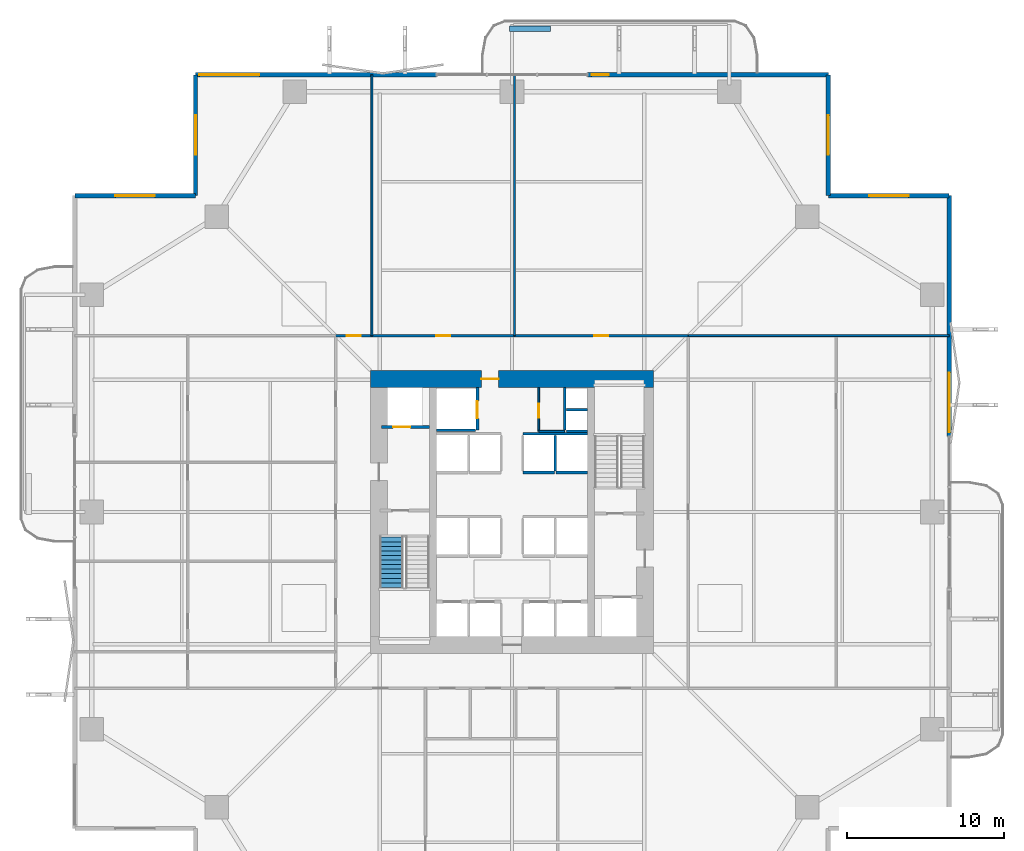
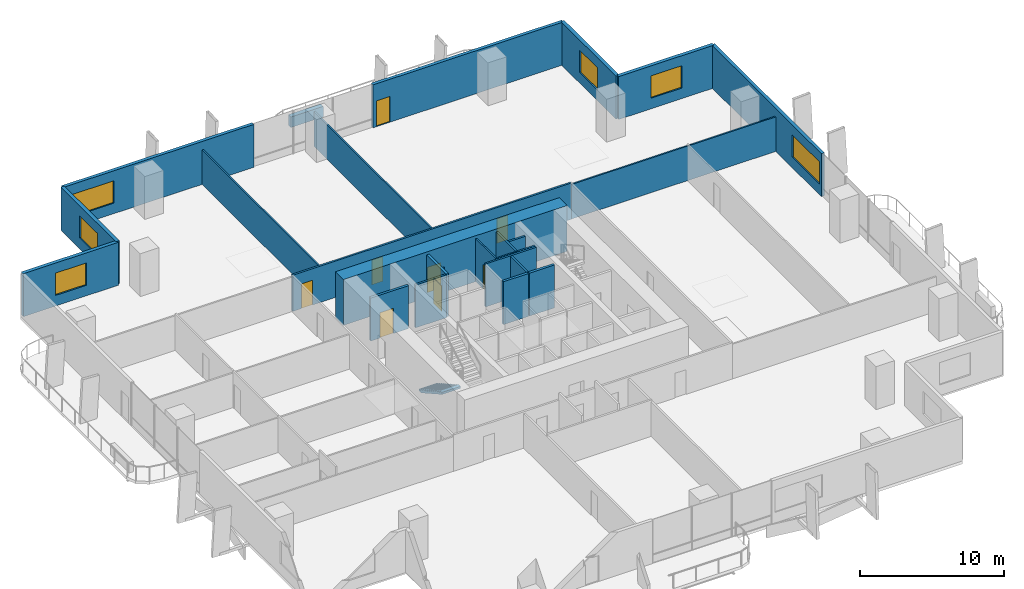
# One storey, part 19 of 23: 25 walls, 8 doors, 6 windows, 1 stair flight, 14 openings, 1 element without a shape of its own.
"""IFC4 building model written with IfcOpenShell, lengths in metres."""

from ifc_helpers import new_model, si_unit, direction, frame, frame_2d, origin, place, context, subcontext, project, spatial, polyline, rectangle, outline, extrude, material, layer, layer_set, type_object, element, fill, aggregate, save


model = new_model("IFC4")

# Units and contexts
model_context = context("Model", 3, precision=1e-05, world=origin(), true_north=direction((0.0, 1.0)))
body_context = subcontext(model_context, "Body", "Model", "MODEL_VIEW")
ifc_project = project(units=[si_unit("LENGTHUNIT", "METRE"), si_unit("AREAUNIT", "SQUARE_METRE"), si_unit("VOLUMEUNIT", "CUBIC_METRE"), si_unit("PLANEANGLEUNIT", "RADIAN"), si_unit("MASSUNIT", "GRAM", prefix="KILO")], contexts=[model_context])

# Site, building, storey
site_placement = place(None, origin())
site = spatial("IfcSite", under=ifc_project, at=site_placement, CompositionType="ELEMENT")
building_placement = place(site_placement, origin())
building = spatial("IfcBuilding", under=site, at=building_placement, Name="Belovzor Exchange Tower", CompositionType="ELEMENT")
storey_placement = place(building_placement, frame((0.0, 0.0, 53.39990234375)))
storey = spatial("IfcBuildingStorey", under=building, at=storey_placement, Name="L12", CompositionType="ELEMENT", Elevation=53.39990234375)

# Walls
ifc_material_1 = material(Name="Acoustic Plasterboard on Galvanised Studs", Category="gypsum")
ifc_layer_1 = layer(ifc_material_1, 0.1201171875)
ifc_layer_set_1 = layer_set([ifc_layer_1], Name="Acoustic Plasterboard on Galvanised Studs")
wall_type_1 = type_object("IfcWallType", Name="Acoustic Double-Stud Partition Wall 120", PredefinedType="PARTITIONING", material=ifc_layer_set_1)
for number, where, z_axis, x_axis, name in (
    (1, (19.89990234375, 40.0, 0.0), (0.0, 0.0, 1.0), (0.0, 1.0, 0.0), "W-P120 Partition Wall W-L12-NDIV-1"),
    (2, (28.9560546875, 40.0, 0.0), (0.0, 0.0, 1.0), (0.0, 1.0, 0.0), "W-P120 Partition Wall W-L12-NDIV-2"),
    (3, (40.0, 40.0, 0.0), (0.0, 0.0, 1.0), (1.0, 0.0, 0.0), "W-P120 Partition Wall W-L12-END-NE"),
):
    element("IfcWall", number, at=place(storey_placement, frame(where, z_axis=z_axis, x_axis=x_axis)), inside=storey, type_object=wall_type_1, Name=name, PredefinedType="PARTITIONING", context=body_context, shape_type="SweptSolid", body=[
        extrude(rectangle(XDim=16.570068359375, YDim=0.1201171875, at=frame_2d((8.28515625, 0.0))), origin(), (0.0, 0.0, 1.0), 2.93505859375),
    ])

# Wall, opening, door
ifc_material_2 = material(Name="Fire-Rated Plasterboard on Galvanised Studs", Category="gypsum")
ifc_layer_2 = layer(ifc_material_2, 0.1201171875)
ifc_layer_set_2 = layer_set([ifc_layer_2], Name="Fire-Rated Plasterboard on Galvanised Studs")
wall_type_2 = type_object("IfcWallType", Name="Fire-Rated Double-Stud Partition Wall 120", PredefinedType="PARTITIONING", material=ifc_layer_set_2)
wall_1_placement = place(storey_placement, frame((30.5, 33.925048828125, 0.0), z_axis=(0.0, 0.0, 1.0), x_axis=(0.0, 1.0, 0.0)))
wall_1 = element("IfcWall", 4, at=wall_1_placement, inside=storey, type_object=wall_type_2, Name="W-P120F Partition Wall W-CRV-L12-W", PredefinedType="PARTITIONING", context=body_context, shape_type="SweptSolid", body=[
    extrude(rectangle(XDim=2.77490234375, YDim=0.1201171875, at=frame_2d((1.387451171875, 0.0))), origin(), (0.0, 0.0, 1.0), 3.650146484375),
])
opening_1_placement = place(wall_1_placement, frame((0.85009765625, 0.0, 0.0)))
opening_1 = element("IfcOpeningElement", 5, at=opening_1_placement, cuts=wall_1, Name="Opening D-FD60-090", PredefinedType="OPENING", context=body_context, shape_type="SweptSolid", body=[
    extrude(rectangle(XDim=0.89990234375, YDim=2.10009765625, at=frame_2d((0.449951171875, 1.050048828125))), frame((0.0, 0.070068359375, 0.0), z_axis=(0.0, -1.0, 0.0), x_axis=(1.0, 0.0, 0.0)), (0.0, 0.0, 1.0), 0.14013671875),
])
ifc_material_3 = material(Name="Acoustic Timber Fire Leaf", Category="wood")
door_type_1 = type_object("IfcDoorType", Name="Core Service & Restroom Fire Door 900x2100", OperationType="NOTDEFINED", PredefinedType="DOOR", material=ifc_material_3)
door_1_placement = place(opening_1_placement, origin())
door_1 = element("IfcDoor", 6, at=door_1_placement, inside=storey, type_object=door_type_1, Name="D-FD60-090 Core Service & Restroom Fire Door 900x2100", OperationType="SINGLE_SWING_LEFT", OverallHeight=2.10009765625, OverallWidth=0.89990234375, PredefinedType="DOOR", context=body_context, shape_type="SweptSolid", body=[
    extrude(rectangle(XDim=0.89990234375, YDim=2.10009765625, at=frame_2d((0.449951171875, 1.050048828125))), frame((0.0, 0.02490234375, 0.0), z_axis=(0.0, -1.0, 0.0), x_axis=(1.0, 0.0, 0.0)), (0.0, 0.0, 1.0), 0.050048828125),
])
fill(opening_1, door_1)

# Wall
wall_2_placement = place(storey_placement, frame((30.5, 33.925048828125, 0.0), z_axis=(0.0, 0.0, 1.0), x_axis=(1.0, 0.0, 0.0)))
element("IfcWall", 7, at=wall_2_placement, inside=storey, type_object=wall_type_2, Name="W-P120F Partition Wall W-CRV-L12-S", PredefinedType="PARTITIONING", context=body_context, shape_type="SweptSolid", body=[
    extrude(rectangle(XDim=1.64990234375, YDim=0.1201171875, at=frame_2d((0.824951171875, 0.0))), origin(), (0.0, 0.0, 1.0), 3.650146484375),
])

# Wall, openings, doors
ifc_material_4 = material(Name="Fire-Rated Gypsum Block and Mineral Wool", Category="gypsum")
ifc_layer_3 = layer(ifc_material_4, 0.14990234375)
ifc_layer_set_3 = layer_set([ifc_layer_3], Name="Fire-Rated Gypsum Block and Mineral Wool")
wall_type_3 = type_object("IfcWallType", Name="Fire-Rated Gypsum Block Corridor Wall 150", PredefinedType="PARTITIONING", material=ifc_layer_set_3)
wall_3_placement = place(storey_placement, frame((17.60009765625, 40.0, 0.0), z_axis=(0.0, 0.0, 1.0), x_axis=(1.0, 0.0, 0.0)))
wall_3 = element("IfcWall", 8, at=wall_3_placement, inside=storey, type_object=wall_type_3, Name="W-P150 Partition Wall W-L12-CN", PredefinedType="PARTITIONING", context=body_context, shape_type="SweptSolid", body=[
    extrude(rectangle(XDim=22.39990234375, YDim=0.14990234375, at=frame_2d((11.199951171875, 0.0))), origin(), (0.0, 0.0, 1.0), 3.085205078125),
])
opening_2_placement = place(wall_3_placement, frame((0.699951171875, 0.0, 0.0)))
opening_2 = element("IfcOpeningElement", 9, at=opening_2_placement, cuts=wall_3, Name="Opening D-INT-090", PredefinedType="OPENING", context=body_context, shape_type="SweptSolid", body=[
    extrude(rectangle(XDim=0.89990234375, YDim=2.10009765625, at=frame_2d((0.449951171875, 1.050048828125))), frame((0.0, 0.0849609375, 0.0), z_axis=(0.0, -1.0, 0.0), x_axis=(1.0, 0.0, 0.0)), (0.0, 0.0, 1.0), 0.169921875),
])
opening_3_placement = place(wall_3_placement, frame((6.3779296875, 0.0, 0.0)))
opening_3 = element("IfcOpeningElement", 10, at=opening_3_placement, cuts=wall_3, Name="Opening D-INT-090", PredefinedType="OPENING", context=body_context, shape_type="SweptSolid", body=[
    extrude(rectangle(XDim=0.89990234375, YDim=2.10009765625, at=frame_2d((0.449951171875, 1.050048828125))), frame((0.0, 0.0849609375, 0.0), z_axis=(0.0, -1.0, 0.0), x_axis=(1.0, 0.0, 0.0)), (0.0, 0.0, 1.0), 0.169921875),
])
opening_4_placement = place(wall_3_placement, frame((16.427978515625, 0.0, 0.0)))
opening_4 = element("IfcOpeningElement", 11, at=opening_4_placement, cuts=wall_3, Name="Opening D-INT-090", PredefinedType="OPENING", context=body_context, shape_type="SweptSolid", body=[
    extrude(rectangle(XDim=0.89990234375, YDim=2.10009765625, at=frame_2d((0.449951171875, 1.050048828125))), frame((0.0, 0.0849609375, 0.0), z_axis=(0.0, -1.0, 0.0), x_axis=(1.0, 0.0, 0.0)), (0.0, 0.0, 1.0), 0.169921875),
])
ifc_material_5 = material(Name="Veneered Hardwood Acoustic Leaf", Category="wood")
door_type_2 = type_object("IfcDoorType", Name="Trading Suite Acoustic Single Door 900x2100", OperationType="NOTDEFINED", PredefinedType="DOOR", material=ifc_material_5)
door_2_placement = place(opening_2_placement, origin())
door_2 = element("IfcDoor", 12, at=door_2_placement, inside=storey, type_object=door_type_2, Name="D-INT-090 Trading Suite Acoustic Single Door 900x2100", OperationType="SINGLE_SWING_RIGHT", OverallHeight=2.10009765625, OverallWidth=0.89990234375, PredefinedType="DOOR", context=body_context, shape_type="SweptSolid", body=[
    extrude(rectangle(XDim=0.89990234375, YDim=2.10009765625, at=frame_2d((0.449951171875, 1.050048828125))), frame((0.0, 0.02490234375, 0.0), z_axis=(0.0, -1.0, 0.0), x_axis=(1.0, 0.0, 0.0)), (0.0, 0.0, 1.0), 0.050048828125),
])
fill(opening_2, door_2)
door_3_placement = place(opening_3_placement, origin())
door_3 = element("IfcDoor", 13, at=door_3_placement, inside=storey, type_object=door_type_2, Name="D-INT-090 Trading Suite Acoustic Single Door 900x2100", OperationType="SINGLE_SWING_LEFT", OverallHeight=2.10009765625, OverallWidth=0.89990234375, PredefinedType="DOOR", context=body_context, shape_type="SweptSolid", body=[
    extrude(rectangle(XDim=0.89990234375, YDim=2.10009765625, at=frame_2d((0.449951171875, 1.050048828125))), frame((0.0, 0.02490234375, 0.0), z_axis=(0.0, -1.0, 0.0), x_axis=(1.0, 0.0, 0.0)), (0.0, 0.0, 1.0), 0.050048828125),
])
fill(opening_3, door_3)
door_4_placement = place(opening_4_placement, origin())
door_4 = element("IfcDoor", 14, at=door_4_placement, inside=storey, type_object=door_type_2, Name="D-INT-090 Trading Suite Acoustic Single Door 900x2100", OperationType="SINGLE_SWING_RIGHT", OverallHeight=2.10009765625, OverallWidth=0.89990234375, PredefinedType="DOOR", context=body_context, shape_type="SweptSolid", body=[
    extrude(rectangle(XDim=0.89990234375, YDim=2.10009765625, at=frame_2d((0.449951171875, 1.050048828125))), frame((0.0, 0.02490234375, 0.0), z_axis=(0.0, -1.0, 0.0), x_axis=(1.0, 0.0, 0.0)), (0.0, 0.0, 1.0), 0.050048828125),
])
fill(opening_4, door_4)

# Wall, opening, window
ifc_material_6 = material(Name="Precast concrete C40/50", Category="concrete")
ifc_layer_4 = layer(ifc_material_6, 0.280029296875)
ifc_layer_set_4 = layer_set([ifc_layer_4], Name="Precast concrete C40/50")
wall_type_4 = type_object("IfcWallType", Name="Precast Concrete Notched Corner Frame Wall 280", PredefinedType="SOLIDWALL", material=ifc_layer_set_4)
wall_4_placement = place(storey_placement, frame((1.030029296875, 48.89990234375, 0.0), z_axis=(0.0, 0.0, 1.0), x_axis=(1.0, 0.0, 0.0)))
wall_4 = element("IfcWall", 15, at=wall_4_placement, inside=storey, type_object=wall_type_4, Name="W-CRN280 Precast Concrete Notched Corner Frame Wall 280 L12", PredefinedType="SOLIDWALL", context=body_context, shape_type="SweptSolid", body=[
    extrude(rectangle(XDim=7.669921875, YDim=0.280029296875, at=frame_2d((3.8349609375, 0.0))), origin(), (0.0, 0.0, 1.0), 3.650146484375),
])
opening_5_placement = place(wall_4_placement, frame((2.5849609375, 0.0, 0.89990234375)))
opening_5 = element("IfcOpeningElement", 16, at=opening_5_placement, cuts=wall_4, Name="Opening WN-CRN250", PredefinedType="OPENING", context=body_context, shape_type="SweptSolid", body=[
    extrude(rectangle(XDim=2.5, YDim=1.89990234375, at=frame_2d((1.25, 0.949951171875))), frame((0.0, 0.14990234375, 0.0), z_axis=(0.0, -1.0, 0.0), x_axis=(1.0, 0.0, 0.0)), (0.0, 0.0, 1.0), 0.300048828125),
])
ifc_material_7 = material(Name="Thermally Broken Aluminium and Triple Glazing", Category="aluminium")
window_type_1 = type_object("IfcWindowType", Name="Streamline Moderne Corner Wrap Ribbon Window 2500x1900", PartitioningType="SINGLE_PANEL", PredefinedType="WINDOW", material=ifc_material_7)
window_1_placement = place(opening_5_placement, origin())
window_1 = element("IfcWindow", 17, at=window_1_placement, inside=storey, type_object=window_type_1, Name="WN-CRN250 Streamline Moderne Corner Wrap Ribbon Window 2500x1900", OverallHeight=1.89990234375, OverallWidth=2.5, PartitioningType="SINGLE_PANEL", PredefinedType="WINDOW", context=body_context, shape_type="SweptSolid", body=[
    extrude(rectangle(XDim=2.5, YDim=1.89990234375, at=frame_2d((1.25, 0.949951171875))), frame((0.0, 0.030029296875, 0.0), z_axis=(0.0, -1.0, 0.0), x_axis=(1.0, 0.0, 0.0)), (0.0, 0.0, 1.0), 0.06005859375),
])
fill(opening_5, window_1)

wall_5_placement = place(storey_placement, frame((8.699951171875, 48.89990234375, 0.0), z_axis=(0.0, 0.0, 1.0), x_axis=(0.0, 1.0, 0.0)))
wall_5 = element("IfcWall", 18, at=wall_5_placement, inside=storey, type_object=wall_type_4, Name="W-CRN280 Precast Concrete Notched Corner Frame Wall 280 L12", PredefinedType="SOLIDWALL", context=body_context, shape_type="SweptSolid", body=[
    extrude(rectangle(XDim=7.670166015625, YDim=0.280029296875, at=frame_2d((3.8349609375, 0.0))), origin(), (0.0, 0.0, 1.0), 3.650146484375),
])
opening_6_placement = place(wall_5_placement, frame((2.5849609375, 0.0, 0.89990234375)))
opening_6 = element("IfcOpeningElement", 19, at=opening_6_placement, cuts=wall_5, Name="Opening WN-CRN250", PredefinedType="OPENING", context=body_context, shape_type="SweptSolid", body=[
    extrude(rectangle(XDim=2.5, YDim=1.89990234375, at=frame_2d((1.25, 0.949951171875))), frame((0.0, 0.14990234375, 0.0), z_axis=(0.0, -1.0, 0.0), x_axis=(1.0, 0.0, 0.0)), (0.0, 0.0, 1.0), 0.300048828125),
])
window_2_placement = place(opening_6_placement, origin())
window_2 = element("IfcWindow", 20, at=window_2_placement, inside=storey, type_object=window_type_1, Name="WN-CRN250 Streamline Moderne Corner Wrap Ribbon Window 2500x1900", OverallHeight=1.89990234375, OverallWidth=2.5, PartitioningType="SINGLE_PANEL", PredefinedType="WINDOW", context=body_context, shape_type="SweptSolid", body=[
    extrude(rectangle(XDim=2.5, YDim=1.89990234375, at=frame_2d((1.25, 0.949951171875))), frame((0.0, 0.030029296875, 0.0), z_axis=(0.0, -1.0, 0.0), x_axis=(1.0, 0.0, 0.0)), (0.0, 0.0, 1.0), 0.06005859375),
])
fill(opening_6, window_2)

wall_6_placement = place(storey_placement, frame((48.89990234375, 56.570068359375, 0.0), z_axis=(0.0, 0.0, 1.0), x_axis=(0.0, -1.0, 0.0)))
wall_6 = element("IfcWall", 21, at=wall_6_placement, inside=storey, type_object=wall_type_4, Name="W-CRN280 Precast Concrete Notched Corner Frame Wall 280 L12", PredefinedType="SOLIDWALL", context=body_context, shape_type="SweptSolid", body=[
    extrude(rectangle(XDim=7.670166015625, YDim=0.280029296875, at=frame_2d((3.8349609375, 0.0))), origin(), (0.0, 0.0, 1.0), 3.650146484375),
])
opening_7_placement = place(wall_6_placement, frame((2.5849609375, 0.0, 0.89990234375)))
opening_7 = element("IfcOpeningElement", 22, at=opening_7_placement, cuts=wall_6, Name="Opening WN-CRN250", PredefinedType="OPENING", context=body_context, shape_type="SweptSolid", body=[
    extrude(rectangle(XDim=2.5, YDim=1.89990234375, at=frame_2d((1.25, 0.949951171875))), frame((0.0, 0.14990234375, 0.0), z_axis=(0.0, -1.0, 0.0), x_axis=(1.0, 0.0, 0.0)), (0.0, 0.0, 1.0), 0.300048828125),
])
window_3_placement = place(opening_7_placement, origin())
window_3 = element("IfcWindow", 23, at=window_3_placement, inside=storey, type_object=window_type_1, Name="WN-CRN250 Streamline Moderne Corner Wrap Ribbon Window 2500x1900", OverallHeight=1.89990234375, OverallWidth=2.5, PartitioningType="SINGLE_PANEL", PredefinedType="WINDOW", context=body_context, shape_type="SweptSolid", body=[
    extrude(rectangle(XDim=2.5, YDim=1.89990234375, at=frame_2d((1.25, 0.949951171875))), frame((0.0, 0.030029296875, 0.0), z_axis=(0.0, -1.0, 0.0), x_axis=(1.0, 0.0, 0.0)), (0.0, 0.0, 1.0), 0.06005859375),
])
fill(opening_7, window_3)

wall_7_placement = place(storey_placement, frame((48.89990234375, 48.89990234375, 0.0), z_axis=(0.0, 0.0, 1.0), x_axis=(1.0, 0.0, 0.0)))
wall_7 = element("IfcWall", 24, at=wall_7_placement, inside=storey, type_object=wall_type_4, Name="W-CRN280 Precast Concrete Notched Corner Frame Wall 280 L12", PredefinedType="SOLIDWALL", context=body_context, shape_type="SweptSolid", body=[
    extrude(rectangle(XDim=7.670166015625, YDim=0.280029296875, at=frame_2d((3.8349609375, 0.0))), origin(), (0.0, 0.0, 1.0), 3.650146484375),
])
opening_8_placement = place(wall_7_placement, frame((2.5849609375, 0.0, 0.89990234375)))
opening_8 = element("IfcOpeningElement", 25, at=opening_8_placement, cuts=wall_7, Name="Opening WN-CRN250", PredefinedType="OPENING", context=body_context, shape_type="SweptSolid", body=[
    extrude(rectangle(XDim=2.5, YDim=1.89990234375, at=frame_2d((1.25, 0.949951171875))), frame((0.0, 0.14990234375, 0.0), z_axis=(0.0, -1.0, 0.0), x_axis=(1.0, 0.0, 0.0)), (0.0, 0.0, 1.0), 0.300048828125),
])
window_4_placement = place(opening_8_placement, origin())
window_4 = element("IfcWindow", 26, at=window_4_placement, inside=storey, type_object=window_type_1, Name="WN-CRN250 Streamline Moderne Corner Wrap Ribbon Window 2500x1900", OverallHeight=1.89990234375, OverallWidth=2.5, PartitioningType="SINGLE_PANEL", PredefinedType="WINDOW", context=body_context, shape_type="SweptSolid", body=[
    extrude(rectangle(XDim=2.5, YDim=1.89990234375, at=frame_2d((1.25, 0.949951171875))), frame((0.0, 0.030029296875, 0.0), z_axis=(0.0, -1.0, 0.0), x_axis=(1.0, 0.0, 0.0)), (0.0, 0.0, 1.0), 0.06005859375),
])
fill(opening_8, window_4)

ifc_material_8 = material(Name="Precast concrete C40/50", Category="concrete")
ifc_layer_5 = layer(ifc_material_8, 0.260009765625)
ifc_layer_set_5 = layer_set([ifc_layer_5], Name="Precast concrete C40/50")
wall_type_5 = type_object("IfcWallType", Name="Precast Concrete Perimeter Loggia Frame Wall 260", PredefinedType="SOLIDWALL", material=ifc_layer_set_5)
wall_8_placement = place(storey_placement, frame((8.699951171875, 56.570068359375, 0.0), z_axis=(0.0, 0.0, 1.0), x_axis=(1.0, 0.0, 0.0)))
wall_8 = element("IfcWall", 27, at=wall_8_placement, inside=storey, type_object=wall_type_5, Name="W-EXT260 Precast Concrete Perimeter Loggia Frame Wall 260 L12", PredefinedType="SOLIDWALL", context=body_context, shape_type="SweptSolid", body=[
    extrude(rectangle(XDim=15.300048828125, YDim=0.260009765625, at=frame_2d((7.64990234375, 0.0))), origin(), (0.0, 0.0, 1.0), 3.650146484375),
])
opening_9_placement = place(wall_8_placement, frame((0.25, 0.0, 0.89990234375)))
opening_9 = element("IfcOpeningElement", 28, at=opening_9_placement, cuts=wall_8, Name="Opening WN-RIB380", PredefinedType="OPENING", context=body_context, shape_type="SweptSolid", body=[
    extrude(rectangle(XDim=3.800048828125, YDim=1.89990234375, at=frame_2d((1.89990234375, 0.949951171875))), frame((0.0, 0.139892578125, 0.0), z_axis=(0.0, -1.0, 0.0), x_axis=(1.0, 0.0, 0.0)), (0.0, 0.0, 1.0), 0.280029296875),
])
ifc_material_9 = material(Name="Thermally Broken Aluminium and Triple Glazing", Category="aluminium")
window_type_2 = type_object("IfcWindowType", Name="Streamline Moderne Horizontal Ribbon Window 3800x1900", PartitioningType="SINGLE_PANEL", PredefinedType="WINDOW", material=ifc_material_9)
window_5_placement = place(opening_9_placement, origin())
window_5 = element("IfcWindow", 29, at=window_5_placement, inside=storey, type_object=window_type_2, Name="WN-RIB380 Streamline Moderne Horizontal Ribbon Window 3800x1900", OverallHeight=1.89990234375, OverallWidth=3.800048828125, PartitioningType="SINGLE_PANEL", PredefinedType="WINDOW", context=body_context, shape_type="SweptSolid", body=[
    extrude(rectangle(XDim=3.800048828125, YDim=1.89990234375, at=frame_2d((1.89990234375, 0.949951171875))), frame((0.0, 0.030029296875, 0.0), z_axis=(0.0, -1.0, 0.0), x_axis=(1.0, 0.0, 0.0)), (0.0, 0.0, 1.0), 0.06005859375),
])
fill(opening_9, window_5)

# Wall, opening, door
wall_9_placement = place(storey_placement, frame((33.60009765625, 56.570068359375, 0.0), z_axis=(0.0, 0.0, 1.0), x_axis=(1.0, 0.0, 0.0)))
wall_9 = element("IfcWall", 30, at=wall_9_placement, inside=storey, type_object=wall_type_5, Name="W-EXT260 Precast Concrete Perimeter Loggia Frame Wall 260 L12", PredefinedType="SOLIDWALL", context=body_context, shape_type="SweptSolid", body=[
    extrude(rectangle(XDim=15.2998046875, YDim=0.260009765625, at=frame_2d((7.64990234375, 0.0))), origin(), (0.0, 0.0, 1.0), 3.650146484375),
])
opening_10_placement = place(wall_9_placement, frame((0.25, 0.0, 0.0)))
opening_10 = element("IfcOpeningElement", 31, at=opening_10_placement, cuts=wall_9, Name="Opening D-BAL110", PredefinedType="OPENING", context=body_context, shape_type="SweptSolid", body=[
    extrude(rectangle(XDim=1.10009765625, YDim=2.199951171875, at=frame_2d((0.550048828125, 1.10009765625))), frame((0.0, 0.139892578125, 0.0), z_axis=(0.0, -1.0, 0.0), x_axis=(1.0, 0.0, 0.0)), (0.0, 0.0, 1.0), 0.280029296875),
])
ifc_material_10 = material(Name="Thermally Broken Anodised Aluminium and Laminated Glass", Category="aluminium")
door_type_3 = type_object("IfcDoorType", Name="Planted Loggia Terrace Glazed Door 1100x2200", OperationType="SINGLE_SWING_LEFT", PredefinedType="DOOR", material=ifc_material_10)
door_5_placement = place(opening_10_placement, origin())
door_5 = element("IfcDoor", 32, at=door_5_placement, inside=storey, type_object=door_type_3, Name="D-BAL110 Balcony Terrace Door L12 N", OperationType="SINGLE_SWING_RIGHT", OverallHeight=2.199951171875, OverallWidth=1.10009765625, PredefinedType="DOOR", context=body_context, shape_type="SweptSolid", body=[
    extrude(rectangle(XDim=1.10009765625, YDim=2.199951171875, at=frame_2d((0.550048828125, 1.10009765625))), frame((0.0, 0.02490234375, 0.0), z_axis=(0.0, -1.0, 0.0), x_axis=(1.0, 0.0, 0.0)), (0.0, 0.0, 1.0), 0.050048828125),
])
fill(opening_10, door_5)

# Wall, opening, window
wall_10_placement = place(storey_placement, frame((56.570068359375, 48.89990234375, 0.0), z_axis=(0.0, 0.0, 1.0), x_axis=(0.0, -1.0, 0.0)))
wall_10 = element("IfcWall", 33, at=wall_10_placement, inside=storey, type_object=wall_type_5, Name="W-EXT260 Precast Concrete Perimeter Loggia Frame Wall 260 L12", PredefinedType="SOLIDWALL", context=body_context, shape_type="SweptSolid", body=[
    extrude(rectangle(XDim=15.2998046875, YDim=0.260009765625, at=frame_2d((7.64990234375, 0.0))), origin(), (0.0, 0.0, 1.0), 3.650146484375),
])
opening_11_placement = place(wall_10_placement, frame((11.25, 0.0, 0.89990234375)))
opening_11 = element("IfcOpeningElement", 34, at=opening_11_placement, cuts=wall_10, Name="Opening WN-RIB380", PredefinedType="OPENING", context=body_context, shape_type="SweptSolid", body=[
    extrude(rectangle(XDim=3.800048828125, YDim=1.89990234375, at=frame_2d((1.89990234375, 0.949951171875))), frame((0.0, 0.139892578125, 0.0), z_axis=(0.0, -1.0, 0.0), x_axis=(1.0, 0.0, 0.0)), (0.0, 0.0, 1.0), 0.280029296875),
])
window_6_placement = place(opening_11_placement, origin())
window_6 = element("IfcWindow", 35, at=window_6_placement, inside=storey, type_object=window_type_2, Name="WN-RIB380 Streamline Moderne Horizontal Ribbon Window 3800x1900", OverallHeight=1.89990234375, OverallWidth=3.800048828125, PartitioningType="SINGLE_PANEL", PredefinedType="WINDOW", context=body_context, shape_type="SweptSolid", body=[
    extrude(rectangle(XDim=3.800048828125, YDim=1.89990234375, at=frame_2d((1.89990234375, 0.949951171875))), frame((0.0, 0.030029296875, 0.0), z_axis=(0.0, -1.0, 0.0), x_axis=(1.0, 0.0, 0.0)), (0.0, 0.0, 1.0), 0.06005859375),
])
fill(opening_11, window_6)

# Walls
ifc_material_11 = material(Name="Precast concrete C40/50", Category="concrete")
ifc_layer_6 = layer(ifc_material_11, 0.35009765625)
ifc_layer_set_6 = layer_set([ifc_layer_6], Name="Precast concrete C40/50")
wall_type_6 = type_object("IfcWallType", Name="Precast Concrete Structural Tree Planter Trough 350", PredefinedType="PARAPET", material=ifc_layer_set_6)
wall_11_placement = place(storey_placement, frame((28.64990234375, 59.5, 0.0), z_axis=(0.0, 0.0, 1.0), x_axis=(1.0, 0.0, 0.0)))
element("IfcWall", 36, at=wall_11_placement, inside=storey, type_object=wall_type_6, Name="PT-350 Precast Concrete Structural Tree Planter Trough 350 L12", PredefinedType="PARAPET", context=body_context, shape_type="SweptSolid", body=[
    extrude(rectangle(XDim=2.60009765625, YDim=0.35009765625, at=frame_2d((1.300048828125, 0.0))), origin(), (0.0, 0.0, 1.0), 0.900146484375),
])
ifc_material_12 = material(Name="Concrete C50/60", Category="concrete")
ifc_layer_7 = layer(ifc_material_12, 0.14990234375)
ifc_layer_set_7 = layer_set([ifc_layer_7], Name="Concrete C50/60")
wall_type_7 = type_object("IfcWallType", Name="Reinforced Concrete Core Riser Shear Wall 150", PredefinedType="SHEAR", material=ifc_layer_set_7)
wall_12_placement = place(storey_placement, frame((32.14990234375, 34.0, 0.0), z_axis=(0.0, 0.0, 1.0), x_axis=(0.0, 1.0, 0.0)))
element("IfcWall", 37, at=wall_12_placement, inside=storey, type_object=wall_type_7, Name="W-C150S Core Shaft Wall W-RSR-L12-E", PredefinedType="SHEAR", context=body_context, shape_type="SweptSolid", body=[
    extrude(rectangle(XDim=2.699951171875, YDim=0.14990234375, at=frame_2d((1.35009765625, 0.0))), origin(), (0.0, 0.0, 1.0), 3.650146484375),
])
for number, where, z_axis, x_axis, name in (
    (38, (32.25, 33.925048828125, 0.0), (0.0, 0.0, 1.0), (1.0, 0.0, 0.0), "W-C150S Core Shaft Wall W-RSR-L12-S"),
    (39, (32.25, 35.300048828125, 0.0), (0.0, 0.0, 1.0), (1.0, 0.0, 0.0), "W-C150S Core Shaft Wall W-RSR-L12-M"),
):
    element("IfcWall", number, at=place(storey_placement, frame(where, z_axis=z_axis, x_axis=x_axis)), inside=storey, type_object=wall_type_7, Name=name, PredefinedType="SHEAR", context=body_context, shape_type="SweptSolid", body=[
        extrude(rectangle(XDim=1.330078125, YDim=0.14990234375, at=frame_2d((0.6650390625, 0.0))), origin(), (0.0, 0.0, 1.0), 3.650146484375),
    ])
wall_13_placement = place(storey_placement, frame((24.0, 34.0, 0.0), z_axis=(0.0, 0.0, 1.0), x_axis=(1.0, 0.0, 0.0)))
element("IfcWall", 40, at=wall_13_placement, inside=storey, type_object=wall_type_7, Name="W-C150S Core Shaft Wall W-SH-L12-SL-01S", PredefinedType="SHEAR", context=body_context, shape_type="SweptSolid", body=[
    extrude(rectangle(XDim=2.47998046875, YDim=0.14990234375, at=frame_2d((1.239990234375, 0.0))), origin(), (0.0, 0.0, 1.0), 3.650146484375),
])
wall_14_placement = place(storey_placement, frame((29.5, 33.760009765625, 0.0), z_axis=(0.0, 0.0, 1.0), x_axis=(1.0, 0.0, 0.0)))
element("IfcWall", 41, at=wall_14_placement, inside=storey, type_object=wall_type_7, Name="W-C150S Core Shaft Wall W-SHB-L12-PLH-NE", PredefinedType="SHEAR", context=body_context, shape_type="SweptSolid", body=[
    extrude(rectangle(XDim=4.080078125, YDim=0.14990234375, at=frame_2d((2.0400390625, 0.0))), origin(), (0.0, 0.0, 1.0), 3.650146484375),
])
wall_15_placement = place(storey_placement, frame((31.550048828125, 31.419921875, 0.0), z_axis=(0.0, 0.0, 1.0), x_axis=(0.0, 1.0, 0.0)))
element("IfcWall", 42, at=wall_15_placement, inside=storey, type_object=wall_type_7, Name="W-C150S Core Shaft Wall W-SHD-L12-PLH-4", PredefinedType="SHEAR", context=body_context, shape_type="SweptSolid", body=[
    extrude(rectangle(XDim=2.239990234375, YDim=0.14990234375, at=frame_2d((1.1201171875, 0.0))), origin(), (0.0, 0.0, 1.0), 3.650146484375),
])

# Wall, opening, door
ifc_material_13 = material(Name="Concrete C50/60", Category="concrete")
ifc_layer_8 = layer(ifc_material_13, 0.199951171875)
ifc_layer_set_8 = layer_set([ifc_layer_8], Name="Concrete C50/60")
wall_type_8 = type_object("IfcWallType", Name="Reinforced Concrete Core Shaft Shear Wall 200", PredefinedType="SHEAR", material=ifc_layer_set_8)
wall_16_placement = place(storey_placement, frame((20.5, 34.199951171875, 0.0), z_axis=(0.0, 0.0, 1.0), x_axis=(1.0, 0.0, 0.0)))
wall_16 = element("IfcWall", 43, at=wall_16_placement, inside=storey, type_object=wall_type_8, Name="W-C200S Core Shaft Wall W-SH-L12-FFL-01", PredefinedType="SHEAR", context=body_context, shape_type="SweptSolid", body=[
    extrude(rectangle(XDim=3.050048828125, YDim=0.199951171875, at=frame_2d((1.52490234375, 0.0))), origin(), (0.0, 0.0, 1.0), 3.650146484375),
])
opening_12_placement = place(wall_16_placement, frame((0.75, 0.0, 0.0)))
opening_12 = element("IfcOpeningElement", 44, at=opening_12_placement, cuts=wall_16, Name="Opening LD-110", PredefinedType="OPENING", context=body_context, shape_type="SweptSolid", body=[
    extrude(rectangle(XDim=1.10009765625, YDim=2.14990234375, at=frame_2d((0.550048828125, 1.074951171875))), frame((0.0, 0.10986328125, 0.0), z_axis=(0.0, -1.0, 0.0), x_axis=(1.0, 0.0, 0.0)), (0.0, 0.0, 1.0), 0.219970703125),
])
ifc_material_14 = material(Name="Stainless Steel Grade 304", Category="steel")
door_type_4 = type_object("IfcDoorType", Name="Automated Stainless Steel Lift Landing Door 1100x2150", OperationType="SLIDING_TO_RIGHT", PredefinedType="DOOR", material=ifc_material_14)
door_6_placement = place(opening_12_placement, origin())
door_6 = element("IfcDoor", 45, at=door_6_placement, inside=storey, type_object=door_type_4, Name="LD-110 Automated Stainless Steel Lift Landing Door 1100x2150", OperationType="SLIDING_TO_RIGHT", OverallHeight=2.14990234375, OverallWidth=1.10009765625, PredefinedType="DOOR", context=body_context, shape_type="SweptSolid", body=[
    extrude(rectangle(XDim=1.10009765625, YDim=2.14990234375, at=frame_2d((0.550048828125, 1.074951171875))), frame((0.0, 0.02490234375, 0.0), z_axis=(0.0, -1.0, 0.0), x_axis=(1.0, 0.0, 0.0)), (0.0, 0.0, 1.0), 0.050048828125),
])
fill(opening_12, door_6)

wall_17_placement = place(storey_placement, frame((26.60009765625, 34.0, 0.0), z_axis=(0.0, 0.0, 1.0), x_axis=(0.0, 1.0, 0.0)))
wall_17 = element("IfcWall", 46, at=wall_17_placement, inside=storey, type_object=wall_type_8, Name="W-C200S Core Shaft Wall W-SH-L12-SL-01", PredefinedType="SHEAR", context=body_context, shape_type="SweptSolid", body=[
    extrude(rectangle(XDim=2.699951171875, YDim=0.199951171875, at=frame_2d((1.35009765625, 0.0))), origin(), (0.0, 0.0, 1.0), 3.650146484375),
])
opening_13_placement = place(wall_17_placement, frame((0.75, 0.0, 0.0)))
opening_13 = element("IfcOpeningElement", 47, at=opening_13_placement, cuts=wall_17, Name="Opening LD-110", PredefinedType="OPENING", context=body_context, shape_type="SweptSolid", body=[
    extrude(rectangle(XDim=1.10009765625, YDim=2.14990234375, at=frame_2d((0.550048828125, 1.074951171875))), frame((0.0, 0.10986328125, 0.0), z_axis=(0.0, -1.0, 0.0), x_axis=(1.0, 0.0, 0.0)), (0.0, 0.0, 1.0), 0.219970703125),
])
door_7_placement = place(opening_13_placement, origin())
door_7 = element("IfcDoor", 48, at=door_7_placement, inside=storey, type_object=door_type_4, Name="LD-110 Automated Stainless Steel Lift Landing Door 1100x2150", OperationType="SLIDING_TO_RIGHT", OverallHeight=2.14990234375, OverallWidth=1.10009765625, PredefinedType="DOOR", context=body_context, shape_type="SweptSolid", body=[
    extrude(rectangle(XDim=1.10009765625, YDim=2.14990234375, at=frame_2d((0.550048828125, 1.074951171875))), frame((0.0, 0.02490234375, 0.0), z_axis=(0.0, -1.0, 0.0), x_axis=(1.0, 0.0, 0.0)), (0.0, 0.0, 1.0), 0.050048828125),
])
fill(opening_13, door_7)

# Walls
for number, where, z_axis, x_axis, name in (
    (49, (29.5, 31.300048828125, 0.0), (0.0, 0.0, 1.0), (1.0, 0.0, 0.0), "W-C200S Core Shaft Wall W-SH-L12-PL-H3"),
    (50, (31.60009765625, 31.300048828125, 0.0), (0.0, 0.0, 1.0), (1.0, 0.0, 0.0), "W-C200S Core Shaft Wall W-SH-L12-PL-H4"),
):
    element("IfcWall", number, at=place(storey_placement, frame(where, z_axis=z_axis, x_axis=x_axis)), inside=storey, type_object=wall_type_8, Name=name, PredefinedType="SHEAR", context=body_context, shape_type="SweptSolid", body=[
        extrude(rectangle(XDim=2.0, YDim=0.199951171875, at=frame_2d((1.0, 0.0))), origin(), (0.0, 0.0, 1.0), 3.650146484375),
    ])

# Wall, opening, door
ifc_material_15 = material(Name="Concrete C60/75", Category="concrete")
ifc_layer_9 = layer(ifc_material_15, 1.10009765625)
ifc_layer_set_9 = layer_set([ifc_layer_9], Name="Concrete C60/75")
wall_type_9 = type_object("IfcWallType", Name="Reinforced Concrete Core Shear Wall 1100", PredefinedType="SHEAR", material=ifc_layer_set_9)
wall_18_placement = place(storey_placement, frame((19.800048828125, 37.25, 0.0), z_axis=(0.0, 0.0, 1.0), x_axis=(1.0, 0.0, 0.0)))
wall_18 = element("IfcWall", 51, at=wall_18_placement, inside=storey, type_object=wall_type_9, Name="CW-S110 Core Shear Wall L12 N", PredefinedType="SHEAR", context=body_context, shape_type="SweptSolid", body=[
    extrude(rectangle(XDim=18.0, YDim=1.10009765625, at=frame_2d((9.0, 0.0))), origin(), (0.0, 0.0, 1.0), 3.900146484375),
])
opening_14_placement = place(wall_18_placement, frame((7.050048828125, 0.0, 0.0)))
opening_14 = element("IfcOpeningElement", 52, at=opening_14_placement, cuts=wall_18, Name="Opening D-FD90-110", PredefinedType="OPENING", context=body_context, shape_type="SweptSolid", body=[
    extrude(rectangle(XDim=1.10009765625, YDim=2.14990234375, at=frame_2d((0.550048828125, 1.074951171875))), frame((0.0, 0.56005859375, 0.0), z_axis=(0.0, -1.0, 0.0), x_axis=(1.0, 0.0, 0.0)), (0.0, 0.0, 1.0), 1.1201171875),
])
ifc_material_16 = material(Name="Fire-Rated Galvanised Steel Leaf", Category="steel")
door_type_5 = type_object("IfcDoorType", Name="Protected Escape Vestibule Fire Door 1100x2150", OperationType="NOTDEFINED", PredefinedType="DOOR", material=ifc_material_16)
door_8_placement = place(opening_14_placement, origin())
door_8 = element("IfcDoor", 53, at=door_8_placement, inside=storey, type_object=door_type_5, Name="D-FD90-110 Protected Escape Vestibule Fire Door 1100x2150", OperationType="SINGLE_SWING_RIGHT", OverallHeight=2.14990234375, OverallWidth=1.10009765625, PredefinedType="DOOR", context=body_context, shape_type="SweptSolid", body=[
    extrude(rectangle(XDim=1.10009765625, YDim=2.14990234375, at=frame_2d((0.550048828125, 1.074951171875))), frame((0.0, 0.02490234375, 0.0), z_axis=(0.0, -1.0, 0.0), x_axis=(1.0, 0.0, 0.0)), (0.0, 0.0, 1.0), 0.050048828125),
])
fill(opening_14, door_8)

# Stair, stair flight
ifc_material_17 = material(Name="Concrete C40/50", Category="concrete")
stair_type = type_object("IfcStairType", Name="Reinforced Concrete Dogleg Escape Stair 1350", PredefinedType="HALF_TURN_STAIR", material=ifc_material_17)
stair_placement = place(storey_placement, origin())
stair = element("IfcStair", 54, at=stair_placement, inside=storey, type_object=stair_type, Name="L12 ST-1", PredefinedType="HALF_TURN_STAIR")
ifc_material_18 = material(Name="Concrete C40/50", Category="concrete")
stair_flight_type = type_object("IfcStairFlightType", Name="Reinforced Concrete Stair Flight 1350", PredefinedType="STRAIGHT", material=ifc_material_18)
stair_flight_placement = place(storey_placement, frame((21.14990234375, 27.199951171875, 0.0), z_axis=(0.0, 0.0, 1.0), x_axis=(0.0, -1.0, 0.0)))
stair_flight = element("IfcStairFlight", 55, at=stair_flight_placement, type_object=stair_flight_type, Name="ST-1 flight 1", NumberOfRisers=12, NumberOfTreads=11, PredefinedType="STRAIGHT", RiserHeight=0.1625, TreadLength=0.29, context=body_context, shape_type="SweptSolid", body=[
    extrude(outline(polyline([(0.0, 0.0), (0.0, 0.16259765625), (0.2900390625, 0.16259765625), (0.2900390625, 0.324951171875), (0.580078125, 0.324951171875), (0.580078125, 0.487548828125), (0.8701171875, 0.487548828125), (0.8701171875, 0.64990234375), (1.159912109375, 0.64990234375), (1.159912109375, 0.8125), (1.449951171875, 0.8125), (1.449951171875, 0.97509765625), (1.739990234375, 0.97509765625), (1.739990234375, 1.137451171875), (2.030029296875, 1.137451171875), (2.030029296875, 1.300048828125), (2.320068359375, 1.300048828125), (2.320068359375, 1.46240234375), (2.610107421875, 1.46240234375), (2.610107421875, 1.625), (2.89990234375, 1.625), (2.89990234375, 1.78759765625), (3.18994140625, 1.78759765625), (3.18994140625, 1.949951171875), (3.18994140625, 1.61572265625), (0.306640625, 0.0), (0.0, 0.0)])), frame((0.0, 0.75, 0.0), z_axis=(0.0, -1.0, 0.0), x_axis=(1.0, 0.0, 0.0)), (0.0, 0.0, 1.0), 1.5),
])
aggregate(stair, [stair_flight])

save(model, "model.ifc")
